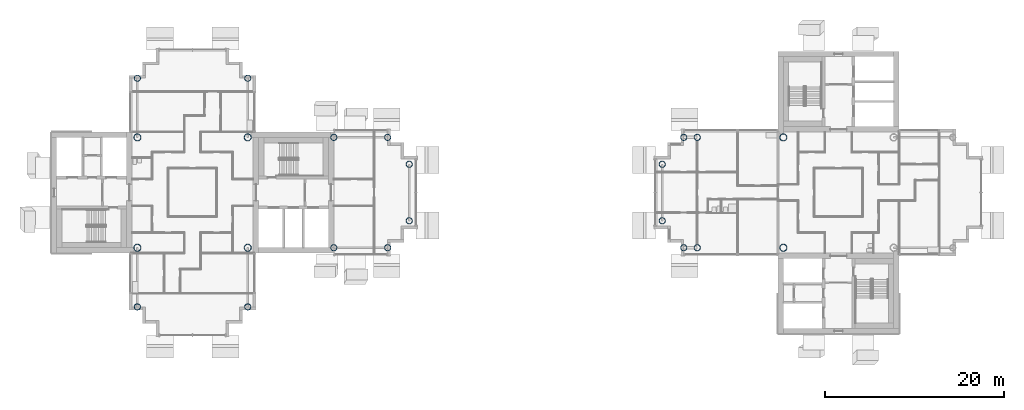
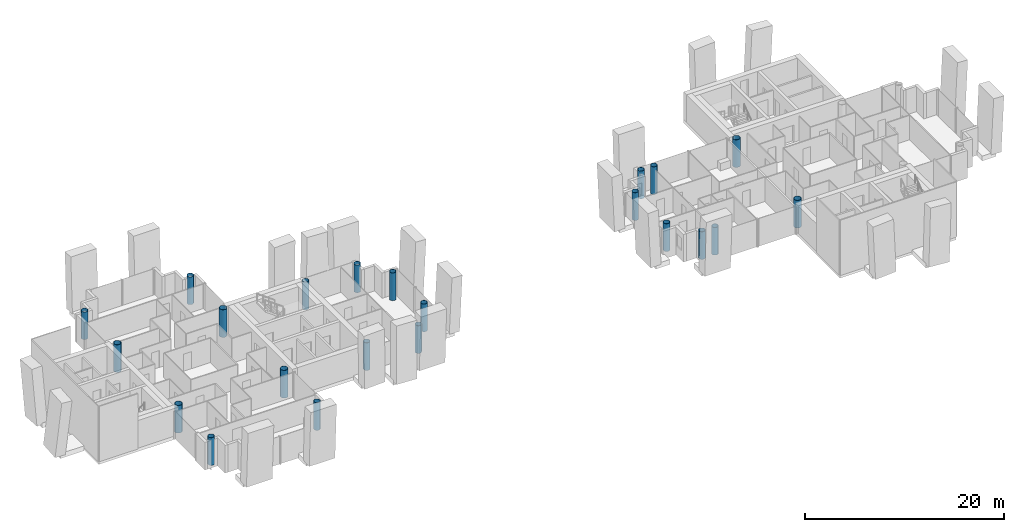
# One storey, part 1 of 18: 22 columns.
"""IFC4 building model written with IfcOpenShell, lengths in metres."""

import ifcopenshell
import ifcopenshell.guid

model = None  # the IFC model being written
_history = None  # IfcOwnerHistory: only IFC2X3 demands one
_inside = {}  # id of a spatial element -> (the spatial element, [elements in it])
_under = {}  # id of a project, library or spatial element -> (it, [spatial elements below it])
_declared = {}  # id of a project -> (the project, [libraries it declares])
_typed = {}  # id of a type object -> (the type object, [elements of that type])
_made_of = {}  # id of a material, layer set ... -> (it, [elements and type objects made of it])


def new_model(schema):
    """Start an empty IFC model of exactly this schema.

    Asked for "IFC4X3", IfcOpenShell would pick the latest addendum, in which some entities
    have other attributes; the version numbers below select the first issue.
    IFC2X3 requires an IfcOwnerHistory on every rooted entity: one is made here for all.
    """
    global model, _history
    if schema == "IFC4X3":
        model = ifcopenshell.file(schema_version=(4, 3, 0, 0))
    else:
        model = ifcopenshell.file(schema=schema)
    _inside.clear()
    _under.clear()
    _declared.clear()
    _typed.clear()
    _made_of.clear()
    _history = None
    if model.schema == "IFC2X3":
        org = make("IfcOrganization", Name="unknown")
        user = make(
            "IfcPersonAndOrganization",
            ThePerson=make("IfcPerson", FamilyName="unknown"),
            TheOrganization=org,
        )
        app = make(
            "IfcApplication",
            ApplicationDeveloper=org,
            Version="unknown",
            ApplicationFullName="unknown",
            ApplicationIdentifier="unknown",
        )
        _history = make(
            "IfcOwnerHistory",
            OwningUser=user,
            OwningApplication=app,
            ChangeAction="ADDED",
            CreationDate=0,
        )
    return model


def make(cls, **values):
    """One entity of the class cls with the attributes given. An attribute that is None is left unset."""
    return model.create_entity(
        cls, **{name: value for name, value in values.items() if value is not None}
    )


def rooted(cls, **values):
    """An entity with a GlobalId (a new one), such as an element, a storey or a relation."""
    return make(cls, GlobalId=ifcopenshell.guid.new(), OwnerHistory=_history, **values)


def si_unit(unit_type, name, prefix=None):
    """IfcSIUnit, for example si_unit("LENGTHUNIT", "METRE", prefix="MILLI")."""
    return make("IfcSIUnit", UnitType=unit_type, Prefix=prefix, Name=name)


def assignment(units):
    """IfcUnitAssignment: the units of a project."""
    return None if units is None else make("IfcUnitAssignment", Units=units)


def point(xyz):
    """IfcCartesianPoint."""
    return None if xyz is None else make("IfcCartesianPoint", Coordinates=xyz)


def direction(xyz):
    """IfcDirection."""
    return None if xyz is None else make("IfcDirection", DirectionRatios=xyz)


def frame(location, z_axis=None, x_axis=None):
    """IfcAxis2Placement3D, a coordinate frame: its origin and axes. An axis left out is left unset."""
    return make(
        "IfcAxis2Placement3D",
        Location=point(location),
        Axis=direction(z_axis),
        RefDirection=direction(x_axis),
    )


def frame_2d(location, x_axis=None):
    """IfcAxis2Placement2D, a coordinate frame in the plane: its origin and x axis."""
    return make(
        "IfcAxis2Placement2D", Location=point(location), RefDirection=direction(x_axis)
    )


def origin():
    """The frame at (0, 0, 0) with its axes left unset."""
    return frame((0.0, 0.0, 0.0))


def origin_2d():
    """The frame at (0, 0) in the plane with its x axis left unset."""
    return frame_2d((0.0, 0.0))


def place(relative_to, where):
    """IfcLocalPlacement: puts the frame where relative to a parent placement (None: the world)."""
    return make(
        "IfcLocalPlacement", PlacementRelTo=relative_to, RelativePlacement=where
    )


def context(
    kind, dimensions, precision=None, world=None, true_north=None, identifier=None
):
    """IfcGeometricRepresentationContext, for example the 3D "Model" context."""
    return make(
        "IfcGeometricRepresentationContext",
        ContextIdentifier=identifier,
        ContextType=kind,
        CoordinateSpaceDimension=dimensions,
        Precision=precision,
        WorldCoordinateSystem=world,
        TrueNorth=true_north,
    )


def subcontext(parent, identifier, kind, view, scale=None):
    """IfcGeometricRepresentationSubContext, for example "Body" below "Model"."""
    return make(
        "IfcGeometricRepresentationSubContext",
        ContextIdentifier=identifier,
        ContextType=kind,
        ParentContext=parent,
        TargetScale=scale,
        TargetView=view,
    )


def project(units=None, contexts=None):
    """IfcProject with its units and contexts."""
    return rooted(
        "IfcProject",
        Name="project",
        RepresentationContexts=contexts,
        UnitsInContext=assignment(units),
    )


def spatial(cls, under=None, at=None, **own):
    """A site, building, storey or space (cls), placed at a placement, below another one or the project."""
    s = rooted(cls, ObjectPlacement=at, **own)
    if under is not None:
        _under.setdefault(under.id(), (under, []))[1].append(s)
    return s


def profile(cls, at=None, kind="AREA", **sizes):
    """A parametric profile (cls). Its sizes go by their IFC names, for example OverallWidth=200.0."""
    return make(cls, ProfileType=kind, Position=at, **sizes)


def hollow_circle(**sizes):
    """IfcCircleHollowProfileDef."""
    return profile("IfcCircleHollowProfileDef", **sizes)


def extrude(swept, where, along, depth):
    """IfcExtrudedAreaSolid: the profile swept, set in the frame where, extruded along a direction by depth."""
    return make(
        "IfcExtrudedAreaSolid",
        SweptArea=swept,
        Position=where,
        ExtrudedDirection=direction(along),
        Depth=depth,
    )


def shape(context_of_items, identifier, shape_type, items):
    """IfcShapeRepresentation: the items that make up one representation, for example the "Body"."""
    return make(
        "IfcShapeRepresentation",
        ContextOfItems=context_of_items,
        RepresentationIdentifier=identifier,
        RepresentationType=shape_type,
        Items=items,
    )


def material(Name=None, Category=None):
    """IfcMaterial."""
    return make("IfcMaterial", Name=Name, Category=Category)


def material_profile(
    of_material, cross_section, Name=None, Category=None, Priority=None
):
    """IfcMaterialProfile: a cross section and its material."""
    return make(
        "IfcMaterialProfile",
        Name=Name,
        Material=of_material,
        Profile=cross_section,
        Priority=Priority,
        Category=Category,
    )


def profile_set(profiles, Name=None, composite=None):
    """IfcMaterialProfileSet."""
    return make(
        "IfcMaterialProfileSet",
        Name=Name,
        MaterialProfiles=profiles,
        CompositeProfile=composite,
    )


def made_of(thing, what):
    """Note that an element or type object is made of a material, layer set ...; save() writes the relation."""
    if what is not None:
        _made_of.setdefault(what.id(), (what, []))[1].append(thing)
    return thing


def type_object(cls, material=None, **own):
    """A type object (cls), such as IfcWallType, which elements share."""
    return made_of(rooted(cls, **own), material)


def element(
    cls,
    number,
    at=None,
    inside=None,
    cuts=None,
    type_object=None,
    material=None,
    context=None,
    identifier="Body",
    shape_type=None,
    held_by="IfcProductDefinitionShape",
    body=None,
    shapes=None,
    **own,
):
    """One element of the class cls, such as IfcWall. Its Tag is "e" and its number.

    at: its placement. inside: the storey or other place that contains it. cuts: it is an
    opening in that element (IfcRelVoidsElement). A single representation is given by context,
    identifier, shape_type and body (its items); several are given by shapes. held_by: the class
    of the entity that holds the representations. save() writes the other relations.
    """
    e = rooted(cls, Tag="e%d" % number, ObjectPlacement=at, **own)
    if body is not None:
        shapes = [shape(context, identifier, shape_type, body)]
    if shapes is not None:
        e.Representation = make(held_by, Representations=shapes)
    if inside is not None:
        _inside.setdefault(inside.id(), (inside, []))[1].append(e)
    if cuts is not None:
        rooted(
            "IfcRelVoidsElement", RelatingBuildingElement=cuts, RelatedOpeningElement=e
        )
    if type_object is not None:
        _typed.setdefault(type_object.id(), (type_object, []))[1].append(e)
    return made_of(e, material)


def aggregate(whole, parts):
    """IfcRelAggregates: a whole, such as a stair, and the parts it consists of."""
    return rooted("IfcRelAggregates", RelatingObject=whole, RelatedObjects=parts)


def save(model, path):
    """Write the relations noted so far, then the file.

    IfcRelAggregates (storeys below a building ...), IfcRelContainedInSpatialStructure (elements
    in a storey), IfcRelDefinesByType, IfcRelAssociatesMaterial and IfcRelDeclares: one each for
    every whole, place, type object, material and project.
    """
    for whole, parts in _under.values():
        aggregate(whole, parts)
    for where, things in _inside.values():
        rooted(
            "IfcRelContainedInSpatialStructure",
            RelatedElements=things,
            RelatingStructure=where,
        )
    for kind, things in _typed.values():
        rooted("IfcRelDefinesByType", RelatedObjects=things, RelatingType=kind)
    for what, things in _made_of.values():
        rooted("IfcRelAssociatesMaterial", RelatedObjects=things, RelatingMaterial=what)
    for by, libraries in _declared.values():
        rooted("IfcRelDeclares", RelatingContext=by, RelatedDefinitions=libraries)
    model.write(path)


model = new_model("IFC4")

# Units and contexts
model_context = context("Model", 3, precision=1e-05, world=origin(), true_north=direction((0.0, 1.0)))
body_context = subcontext(model_context, "Body", "Model", "MODEL_VIEW")
ifc_project = project(units=[si_unit("LENGTHUNIT", "METRE"), si_unit("AREAUNIT", "SQUARE_METRE"), si_unit("VOLUMEUNIT", "CUBIC_METRE"), si_unit("PLANEANGLEUNIT", "RADIAN"), si_unit("MASSUNIT", "GRAM", prefix="KILO")], contexts=[model_context])

# Site, building, storey
site_placement = place(None, origin())
site = spatial("IfcSite", under=ifc_project, at=site_placement, CompositionType="ELEMENT")
building_placement = place(site_placement, origin())
building = spatial("IfcBuilding", under=site, at=building_placement, Name="Ipe Terrace Towers", CompositionType="ELEMENT")
storey_placement = place(building_placement, frame((0.0, 0.0, 223.199951171875)))
storey = spatial("IfcBuildingStorey", under=building, at=storey_placement, Name="L62", CompositionType="ELEMENT", Elevation=223.199951171875)

# Columns
ifc_material_1 = material(Name="Steel S355 tube with Concrete C60/75 fill", Category="concrete")
ifc_material_profile_1 = material_profile(ifc_material_1, hollow_circle(Radius=0.35009765625, WallThickness=0.02490234375, at=origin_2d()), Name="CHS-700x25")
ifc_profile_set_1 = profile_set([ifc_material_profile_1], Name="Steel S355 tube with Concrete C60/75 fill")
column_type_1 = type_object("IfcColumnType", Name="CH08 COLUMN CHS-700x25", PredefinedType="COLUMN", material=ifc_profile_set_1)
for number, where, z_axis, x_axis, name in (
    (1, (-20.25, -6.14990234375, 0.0), (0.0, 0.0, 1.0), (1.0, 0.0, 0.0), "Column T1-C-A01"),
    (2, (-20.25, 6.14990234375, 0.0), (0.0, 0.0, 1.0), (1.0, 0.0, 0.0), "Column T1-C-A02"),
    (3, (-14.25, -6.14990234375, 0.0), (0.0, 0.0, 1.0), (1.0, 0.0, 0.0), "Column T1-C-A03"),
    (4, (-14.25, 6.14990234375, 0.0), (0.0, 0.0, 1.0), (1.0, 0.0, 0.0), "Column T1-C-A04"),
    (5, (-11.85009765625, -3.14990234375, 0.0), (0.0, 0.0, 1.0), (1.0, 0.0, 0.0), "Column T1-C-A05"),
    (6, (-11.85009765625, 3.14990234375, 0.0), (0.0, 0.0, 1.0), (1.0, 0.0, 0.0), "Column T1-C-A06"),
    (7, (-29.85009765625, 12.75, 0.0), (0.0, 0.0, 1.0), (1.0, 0.0, 0.0), "Column T1-C-B01"),
    (8, (-42.14990234375, 12.75, 0.0), (0.0, 0.0, 1.0), (1.0, 0.0, 0.0), "Column T1-C-B02"),
    (9, (-42.14990234375, -12.75, 0.0), (0.0, 0.0, 1.0), (1.0, 0.0, 0.0), "Column T1-C-D01"),
    (10, (-29.85009765625, -12.75, 0.0), (0.0, 0.0, 1.0), (1.0, 0.0, 0.0), "Column T1-C-D02"),
    (11, (20.25, 6.14990234375, 0.0), (0.0, 0.0, 1.0), (1.0, 0.0, 0.0), "Column T2-C-B03"),
    (12, (20.25, -6.14990234375, 0.0), (0.0, 0.0, 1.0), (1.0, 0.0, 0.0), "Column T2-C-B04"),
    (13, (18.75, 6.14990234375, 0.0), (0.0, 0.0, 1.0), (1.0, 0.0, 0.0), "Column T2-C-B05"),
    (14, (18.75, -6.14990234375, 0.0), (0.0, 0.0, 1.0), (1.0, 0.0, 0.0), "Column T2-C-B06"),
    (15, (16.35009765625, 3.14990234375, 0.0), (0.0, 0.0, 1.0), (1.0, 0.0, 0.0), "Column T2-C-B07"),
    (16, (16.35009765625, -3.14990234375, 0.0), (0.0, 0.0, 1.0), (1.0, 0.0, 0.0), "Column T2-C-B08"),
):
    element("IfcColumn", number, at=place(storey_placement, frame(where, z_axis=z_axis, x_axis=x_axis)), inside=storey, type_object=column_type_1, Name=name, PredefinedType="COLUMN", context=body_context, shape_type="SweptSolid", body=[
        extrude(hollow_circle(Radius=0.35009765625, WallThickness=0.02490234375, at=origin_2d()), origin(), (0.0, 0.0, 1.0), 3.400146484375),
    ])
ifc_material_2 = material(Name="Steel S355 tube with Concrete C60/75 fill", Category="concrete")
ifc_material_profile_2 = material_profile(ifc_material_2, hollow_circle(Radius=0.39990234375, WallThickness=0.028076171875, at=origin_2d()), Name="CHS-800x28")
ifc_profile_set_2 = profile_set([ifc_material_profile_2], Name="Steel S355 tube with Concrete C60/75 fill")
column_type_2 = type_object("IfcColumnType", Name="CH09 COLUMN CHS-800x28", PredefinedType="COLUMN", material=ifc_profile_set_2)
for number, where, z_axis, x_axis, name in (
    (17, (-42.14990234375, -6.14990234375, 0.0), (0.0, 0.0, 1.0), (1.0, 0.0, 0.0), "Column T1-C-E01"),
    (18, (-29.85009765625, -6.14990234375, 0.0), (0.0, 0.0, 1.0), (1.0, 0.0, 0.0), "Column T1-C-E02"),
    (19, (-29.85009765625, 6.14990234375, 0.0), (0.0, 0.0, 1.0), (1.0, 0.0, 0.0), "Column T1-C-E03"),
    (20, (-42.14990234375, 6.14990234375, 0.0), (0.0, 0.0, 1.0), (1.0, 0.0, 0.0), "Column T1-C-E04"),
    (21, (29.85009765625, 6.14990234375, 0.0), (0.0, 0.0, 1.0), (1.0, 0.0, 0.0), "Column T2-C-E03"),
    (22, (29.85009765625, -6.14990234375, 0.0), (0.0, 0.0, 1.0), (1.0, 0.0, 0.0), "Column T2-C-E04"),
):
    element("IfcColumn", number, at=place(storey_placement, frame(where, z_axis=z_axis, x_axis=x_axis)), inside=storey, type_object=column_type_2, Name=name, PredefinedType="COLUMN", context=body_context, shape_type="SweptSolid", body=[
        extrude(hollow_circle(Radius=0.39990234375, WallThickness=0.028076171875, at=origin_2d()), origin(), (0.0, 0.0, 1.0), 3.400146484375),
    ])

save(model, "model.ifc")
